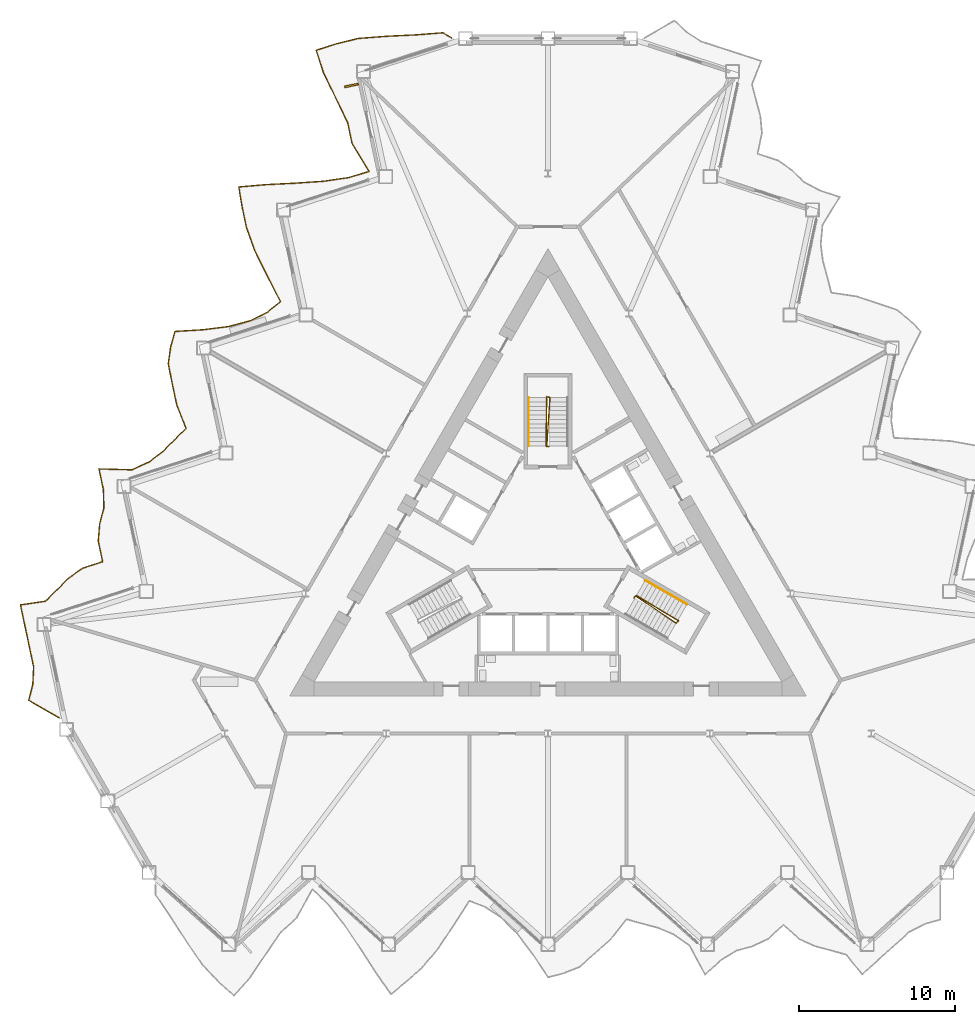
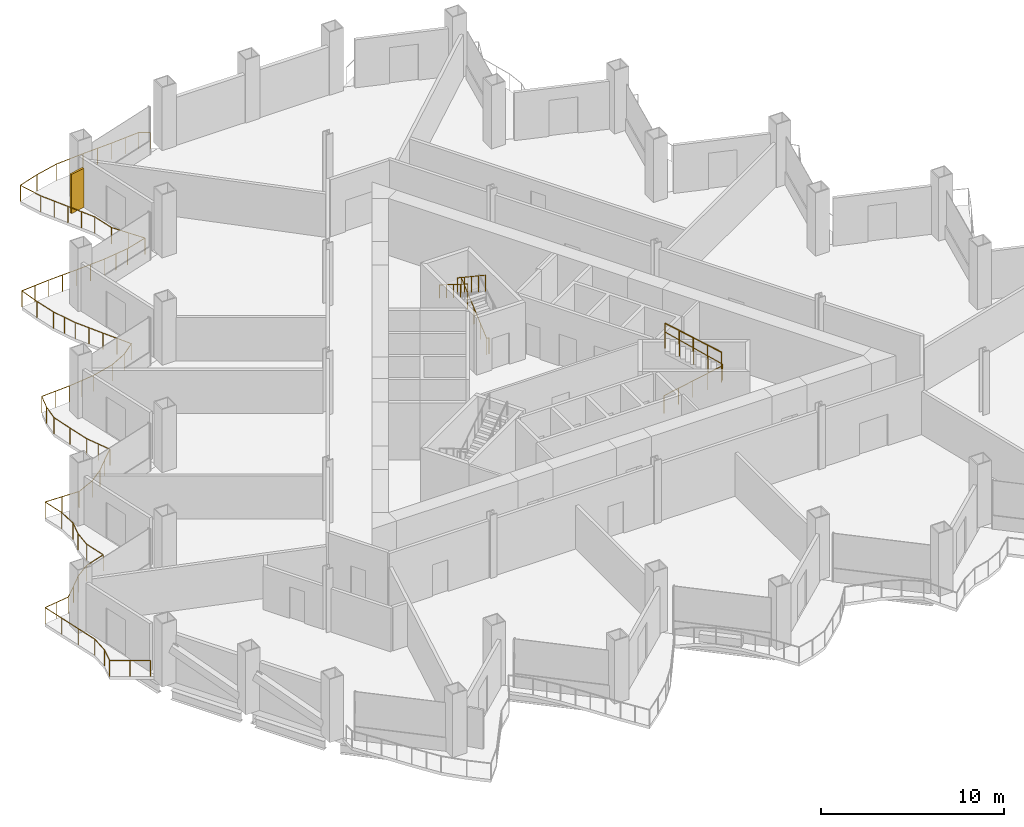
# One storey, part 18 of 21: 5 railings, 1 shading device.
"""IFC4 building model written with IfcOpenShell, lengths in metres."""

from ifc_helpers import new_model, si_unit, direction, frame, origin, origin_2d, place, context, subcontext, project, spatial, rectangle, circle, extrude, material, layer, layer_set, type_object, element, save


model = new_model("IFC4")

# Units and contexts
model_context = context("Model", 3, precision=1e-05, world=origin(), true_north=direction((0.0, 1.0)))
body_context = subcontext(model_context, "Body", "Model", "MODEL_VIEW")
ifc_project = project(units=[si_unit("LENGTHUNIT", "METRE"), si_unit("AREAUNIT", "SQUARE_METRE"), si_unit("VOLUMEUNIT", "CUBIC_METRE"), si_unit("PLANEANGLEUNIT", "RADIAN"), si_unit("MASSUNIT", "GRAM", prefix="KILO")], contexts=[model_context])

# Site, building, storey
site_placement = place(None, origin())
site = spatial("IfcSite", under=ifc_project, at=site_placement, CompositionType="ELEMENT")
building_placement = place(site_placement, origin())
building = spatial("IfcBuilding", under=site, at=building_placement, Name="Cormorant Prow Tower", CompositionType="ELEMENT")
storey_placement = place(building_placement, frame((0.0, 0.0, 116.39990234375)))
storey = spatial("IfcBuildingStorey", under=building, at=storey_placement, Name="L24", CompositionType="ELEMENT", Elevation=116.39990234375)

# Railings
ifc_material_1 = material(Name="Aluminium 6063-T6", Category="aluminium")
railing_type_1 = type_object("IfcRailingType", Name="Balcony guard 1100", PredefinedType="GUARDRAIL", material=ifc_material_1)
railing_1_placement = place(storey_placement, frame((-6.165771484375, 32.531494140625, 0.0)))
element("IfcRailing", 1, at=railing_1_placement, inside=storey, type_object=railing_type_1, Name="Balcony guard WNW", PredefinedType="GUARDRAIL", context=body_context, shape_type="SweptSolid", body=[
    extrude(circle(Radius=0.02392578125, at=origin_2d()), frame((0.0, 0.0, 1.076171875), z_axis=(-0.866038622153, 0.499977104415, 0.0), x_axis=(-0.499977104415, -0.866038622153, 0.0)), (0.0, 0.0, 1.0), 0.63623046875),
    extrude(circle(Radius=0.02392578125, at=origin_2d()), frame((-0.551025390625, 0.318115234375, 1.076171875), z_axis=(-0.997197009902, -0.074820608411, 0.0), x_axis=(0.074820608411, -0.997197009902, 0.0)), (0.0, 0.0, 1.0), 1.781494140625),
    extrude(circle(Radius=0.02392578125, at=origin_2d()), frame((-2.32763671875, 0.184814453125, 1.076171875), z_axis=(-0.998831498612, -0.048328432431, 0.0), x_axis=(0.048328432431, -0.998831498612, 0.0)), (0.0, 0.0, 1.0), 1.85400390625),
    extrude(circle(Radius=0.02392578125, at=origin_2d()), frame((-4.179443359375, 0.09521484375, 1.076171875), z_axis=(-0.99704396545, -0.076833137122, 0.0), x_axis=(0.076833137122, -0.99704396545, 0.0)), (0.0, 0.0, 1.0), 1.7763671875),
    extrude(circle(Radius=0.02392578125, at=origin_2d()), frame((-5.950439453125, -0.041259765625, 1.076171875), z_axis=(-0.971769655853, -0.235931634089, 0.0), x_axis=(0.235931634089, -0.971769655853, 0.0)), (0.0, 0.0, 1.0), 1.453857421875),
    extrude(circle(Radius=0.02392578125, at=origin_2d()), frame((-7.36328125, -0.38427734375, 1.076171875), z_axis=(-0.951024769283, -0.309114684561, 0.0), x_axis=(0.309114684561, -0.951024769283, 0.0)), (0.0, 0.0, 1.0), 1.3505859375),
    extrude(circle(Radius=0.02392578125, at=origin_2d()), frame((-8.647705078125, -0.8017578125, 1.076171875), z_axis=(0.3055170422, -0.952186608247, 0.0), x_axis=(0.952186608247, 0.3055170422, 0.0)), (0.0, 0.0, 1.0), 1.493408203125),
    extrude(circle(Radius=0.02392578125, at=origin_2d()), frame((-8.19140625, -2.223876953125, 1.076171875), z_axis=(0.437543121235, -0.899197429412, 0.0), x_axis=(0.899197429412, 0.437543121235, 0.0)), (0.0, 0.0, 1.0), 1.792236328125),
    extrude(circle(Radius=0.02392578125, at=origin_2d()), frame((-7.4072265625, -3.83544921875, 1.076171875), z_axis=(0.433168019328, -0.901313190312, 0.0), x_axis=(0.901313190312, 0.433168019328, 0.0)), (0.0, 0.0, 1.0), 1.77978515625),
    extrude(circle(Radius=0.02392578125, at=origin_2d()), frame((-6.63623046875, -5.439697265625, 1.076171875), z_axis=(0.208096604051, -0.978108277944, 0.0), x_axis=(0.978108277944, 0.208096604051, 0.0)), (0.0, 0.0, 1.0), 1.350341796875),
    extrude(circle(Radius=0.02392578125, at=origin_2d()), frame((-6.355224609375, -6.760498046875, 1.076171875), z_axis=(0.518892663885, -0.85483940209, 0.0), x_axis=(0.85483940209, 0.518892663885, 0.0)), (0.0, 0.0, 1.0), 2.087158203125),
    extrude(circle(Radius=0.02392578125, at=origin_2d()), frame((-5.272216796875, -8.544677734375, 1.076171875), z_axis=(-0.958431950317, -0.285321216546, 0.0), x_axis=(0.285321216546, -0.958431950317, 0.0)), (0.0, 0.0, 1.0), 1.3818359375),
    extrude(circle(Radius=0.02392578125, at=origin_2d()), frame((-6.5966796875, -8.93896484375, 1.076171875), z_axis=(-0.989725517262, -0.142980419921, 0.0), x_axis=(0.142980419921, -0.989725517262, 0.0)), (0.0, 0.0, 1.0), 1.6220703125),
    extrude(circle(Radius=0.02392578125, at=origin_2d()), frame((-8.2021484375, -9.1708984375, 1.076171875), z_axis=(-0.997739361196, -0.067202433888, 0.0), x_axis=(0.067202433888, -0.997739361196, 0.0)), (0.0, 0.0, 1.0), 1.802001953125),
    extrude(circle(Radius=0.02392578125, at=origin_2d()), frame((-10.0, -9.2919921875, 1.076171875), z_axis=(-0.998796334146, -0.049049800172, 0.0), x_axis=(0.049049800172, -0.998796334146, 0.0)), (0.0, 0.0, 1.0), 1.8515625),
    extrude(circle(Radius=0.02392578125, at=origin_2d()), frame((-11.849365234375, -9.3828125, 1.076171875), z_axis=(-0.996274491947, -0.0862388352, 0.0), x_axis=(0.0862388352, -0.996274491947, 0.0)), (0.0, 0.0, 1.0), 1.75244140625),
    extrude(circle(Radius=0.02392578125, at=origin_2d()), frame((-13.59521484375, -9.533935546875, 1.076171875), z_axis=(0.162018353955, -0.986787744645, 0.0), x_axis=(0.986787744645, 0.162018353955, 0.0)), (0.0, 0.0, 1.0), 1.29736328125),
    extrude(circle(Radius=0.02392578125, at=origin_2d()), frame((-13.385009765625, -10.814208984375, 1.076171875), z_axis=(0.207923627178, -0.978145063506, 0.0), x_axis=(0.978145063506, 0.207923627178, 0.0)), (0.0, 0.0, 1.0), 1.350341796875),
    extrude(circle(Radius=0.02392578125, at=origin_2d()), frame((-13.104248046875, -12.135009765625, 1.076171875), z_axis=(0.337063995154, -0.941481738097, 0.0), x_axis=(0.941481738097, 0.337063995154, 0.0)), (0.0, 0.0, 1.0), 1.551513671875),
    extrude(circle(Radius=0.02392578125, at=origin_2d()), frame((-12.581298828125, -13.595703125, 1.076171875), z_axis=(0.44375940405, -0.896145965408, 0.0), x_axis=(0.896145965408, 0.44375940405, 0.0)), (0.0, 0.0, 1.0), 1.81103515625),
    extrude(circle(Radius=0.02392578125, at=origin_2d()), frame((-11.777587890625, -15.21875, 1.076171875), z_axis=(0.456011061651, -0.889974107293, 0.0), x_axis=(0.889974107293, 0.456011061651, 0.0)), (0.0, 0.0, 1.0), 1.84912109375),
    extrude(circle(Radius=0.02392578125, at=origin_2d()), frame((-10.934326171875, -16.864501953125, 1.076171875), z_axis=(-0.778026512451, -0.628231442959, 0.0), x_axis=(0.628231442959, -0.778026512451, 0.0)), (0.0, 0.0, 1.0), 1.07568359375),
    extrude(circle(Radius=0.02392578125, at=origin_2d()), frame((-11.771240234375, -17.540283203125, 1.076171875), z_axis=(-0.894061222795, -0.447944784427, 0.0), x_axis=(0.447944784427, -0.894061222795, 0.0)), (0.0, 0.0, 1.0), 1.20166015625),
    extrude(circle(Radius=0.02392578125, at=origin_2d()), frame((-12.845703125, -18.07861328125, 1.076171875), z_axis=(-0.965785035107, -0.259343914452, 0.0), x_axis=(0.259343914452, -0.965785035107, 0.0)), (0.0, 0.0, 1.0), 1.418701171875),
    extrude(circle(Radius=0.02392578125, at=origin_2d()), frame((-14.2158203125, -18.446533203125, 1.076171875), z_axis=(-0.991847762911, -0.127428470952, 0.0), x_axis=(0.127428470952, -0.991847762911, 0.0)), (0.0, 0.0, 1.0), 1.6552734375),
    extrude(circle(Radius=0.02392578125, at=origin_2d()), frame((-15.857666015625, -18.657470703125, 1.076171875), z_axis=(-0.998158167324, -0.060665253682, 0.0), x_axis=(0.060665253682, -0.998158167324, 0.0)), (0.0, 0.0, 1.0), 1.819091796875),
    extrude(circle(Radius=0.02392578125, at=origin_2d()), frame((-17.67333984375, -18.767822265625, 1.076171875), z_axis=(-0.268554992367, -0.963264354201, 0.0), x_axis=(0.963264354201, -0.268554992367, 0.0)), (0.0, 0.0, 1.0), 1.036376953125),
    extrude(circle(Radius=0.02392578125, at=origin_2d()), frame((-17.95166015625, -19.76611328125, 1.076171875), z_axis=(-0.141073741819, -0.98999909059, 0.0), x_axis=(0.98999909059, -0.141073741819, 0.0)), (0.0, 0.0, 1.0), 1.08154296875),
    extrude(circle(Radius=0.02392578125, at=origin_2d()), frame((-18.104248046875, -20.8369140625, 1.076171875), z_axis=(0.196677999947, -0.980468135299, 0.0), x_axis=(0.980468135299, 0.196677999947, 0.0)), (0.0, 0.0, 1.0), 1.3369140625),
    extrude(circle(Radius=0.02392578125, at=origin_2d()), frame((-17.84130859375, -22.147705078125, 1.076171875), z_axis=(0.207923627178, -0.978145063506, 0.0), x_axis=(0.978145063506, 0.207923627178, 0.0)), (0.0, 0.0, 1.0), 1.350341796875),
    extrude(circle(Radius=0.02392578125, at=origin_2d()), frame((-17.560546875, -23.468505859375, 1.076171875), z_axis=(0.367686255575, -0.929949900511, 0.0), x_axis=(0.929949900511, 0.367686255575, 0.0)), (0.0, 0.0, 1.0), 1.61474609375),
    extrude(circle(Radius=0.02392578125, at=origin_2d()), frame((-16.966796875, -24.97021484375, 1.076171875), z_axis=(-0.715141961491, -0.698979237828, 0.0), x_axis=(0.698979237828, -0.715141961491, 0.0)), (0.0, 0.0, 1.0), 1.042236328125),
    extrude(circle(Radius=0.02392578125, at=origin_2d()), frame((-17.712158203125, -25.69873046875, 1.076171875), z_axis=(-0.703331850344, -0.710861666072, 0.0), x_axis=(0.710861666072, -0.703331850344, 0.0)), (0.0, 0.0, 1.0), 1.03759765625),
    extrude(circle(Radius=0.02392578125, at=origin_2d()), frame((-18.44189453125, -26.436279296875, 1.076171875), z_axis=(-0.796080060721, -0.605191322577, 0.0), x_axis=(0.605191322577, -0.796080060721, 0.0)), (0.0, 0.0, 1.0), 1.08837890625),
    extrude(circle(Radius=0.02392578125, at=origin_2d()), frame((-19.308349609375, -27.094970703125, 1.076171875), z_axis=(-0.908707369925, -0.417433726289, 0.0), x_axis=(0.417433726289, -0.908707369925, 0.0)), (0.0, 0.0, 1.0), 1.22998046875),
    extrude(circle(Radius=0.02392578125, at=origin_2d()), frame((-20.426025390625, -27.6083984375, 1.076171875), z_axis=(-0.999629367676, 0.027223652961, 0.0), x_axis=(-0.027223652961, -0.999629367676, 0.0)), (0.0, 0.0, 1.0), 2.107421875),
    extrude(circle(Radius=0.02392578125, at=origin_2d()), frame((-22.53271484375, -27.551025390625, 1.076171875), z_axis=(0.208059810937, -0.978116105109, 0.0), x_axis=(0.978116105109, 0.208059810937, 0.0)), (0.0, 0.0, 1.0), 1.3505859375),
    extrude(circle(Radius=0.02392578125, at=origin_2d()), frame((-22.251708984375, -28.8720703125, 1.076171875), z_axis=(0.029192193085, -0.999573817116, 0.0), x_axis=(0.999573817116, 0.029192193085, 0.0)), (0.0, 0.0, 1.0), 1.17919921875),
    extrude(circle(Radius=0.02392578125, at=origin_2d()), frame((-22.21728515625, -30.05078125, 1.076171875), z_axis=(-0.258422924917, -0.966031879328, 0.0), x_axis=(0.966031879328, -0.258422924917, 0.0)), (0.0, 0.0, 1.0), 1.039306640625),
    extrude(circle(Radius=0.02392578125, at=origin_2d()), frame((-22.48583984375, -31.0546875, 1.076171875), z_axis=(-0.083646627438, -0.996495480029, 0.0), x_axis=(0.996495480029, -0.083646627438, 0.0)), (0.0, 0.0, 1.0), 1.109130859375),
    extrude(circle(Radius=0.02392578125, at=origin_2d()), frame((-22.57861328125, -32.159912109375, 1.076171875), z_axis=(0.207886861883, -0.978152877957, 0.0), x_axis=(0.978152877957, 0.207886861883, 0.0)), (0.0, 0.0, 1.0), 1.3505859375),
    extrude(circle(Radius=0.02392578125, at=origin_2d()), frame((-22.2978515625, -33.48095703125, 1.076171875), z_axis=(-0.951077899841, -0.308951174839, 0.0), x_axis=(0.308951174839, -0.951077899841, 0.0)), (0.0, 0.0, 1.0), 1.3505859375),
    extrude(circle(Radius=0.02392578125, at=origin_2d()), frame((-23.582275390625, -33.898193359375, 1.076171875), z_axis=(-0.813119408245, -0.582096923146, 0.0), x_axis=(0.582096923146, -0.813119408245, 0.0)), (0.0, 0.0, 1.0), 1.102294921875),
    extrude(circle(Radius=0.02392578125, at=origin_2d()), frame((-24.478515625, -34.539794921875, 1.076171875), z_axis=(-0.705812471331, -0.708398726223, 0.0), x_axis=(0.708398726223, -0.705812471331, 0.0)), (0.0, 0.0, 1.0), 1.038330078125),
    extrude(circle(Radius=0.02392578125, at=origin_2d()), frame((-25.21142578125, -35.275390625, 1.076171875), z_axis=(-0.71201463204, -0.702164627249, 0.0), x_axis=(0.702164627249, -0.71201463204, 0.0)), (0.0, 0.0, 1.0), 1.041015625),
    extrude(circle(Radius=0.02392578125, at=origin_2d()), frame((-25.95263671875, -36.00634765625, 1.076171875), z_axis=(-0.989239139554, -0.146307637447, 0.0), x_axis=(0.146307637447, -0.989239139554, 0.0)), (0.0, 0.0, 1.0), 1.615234375),
    extrude(circle(Radius=0.02392578125, at=origin_2d()), frame((-27.550537109375, -36.24267578125, 1.076171875), z_axis=(0.207923627178, -0.978145063506, 0.0), x_axis=(0.978145063506, 0.207923627178, 0.0)), (0.0, 0.0, 1.0), 1.350341796875),
    extrude(circle(Radius=0.02392578125, at=origin_2d()), frame((-27.269775390625, -37.5634765625, 1.076171875), z_axis=(0.207886861883, -0.978152877957, 0.0), x_axis=(0.978152877957, 0.207886861883, 0.0)), (0.0, 0.0, 1.0), 1.3505859375),
    extrude(circle(Radius=0.02392578125, at=origin_2d()), frame((-26.989013671875, -38.884521484375, 1.076171875), z_axis=(0.207886861883, -0.978152877957, 0.0), x_axis=(0.978152877957, 0.207886861883, 0.0)), (0.0, 0.0, 1.0), 1.3505859375),
    extrude(circle(Radius=0.02392578125, at=origin_2d()), frame((-26.708251953125, -40.20556640625, 1.076171875), z_axis=(-0.046897714025, -0.998899696876, 0.0), x_axis=(0.998899696876, -0.046897714025, 0.0)), (0.0, 0.0, 1.0), 1.129638671875),
    extrude(circle(Radius=0.02392578125, at=origin_2d()), frame((-26.76123046875, -41.333984375, 1.076171875), z_axis=(-0.244848201654, -0.96956142567, 0.0), x_axis=(0.96956142567, -0.244848201654, 0.0)), (0.0, 0.0, 1.0), 1.04296875),
    extrude(circle(Radius=0.02392578125, at=origin_2d()), frame((-27.0166015625, -42.34521484375, 1.076171875), z_axis=(0.866019272134, -0.50001062018, 0.0), x_axis=(0.50001062018, 0.866019272134, 0.0)), (0.0, 0.0, 1.0), 2.224609375),
    extrude(circle(Radius=0.02099609375, at=origin_2d()), origin(), (0.0, 0.0, 1.0), 1.052001953125),
    extrude(circle(Radius=0.02099609375, at=origin_2d()), frame((-0.551025390625, 0.318115234375, 0.0)), (0.0, 0.0, 1.0), 1.052001953125),
    extrude(circle(Radius=0.02099609375, at=origin_2d()), frame((-1.439453125, 0.25146484375, 0.0)), (0.0, 0.0, 1.0), 1.052001953125),
    extrude(circle(Radius=0.02099609375, at=origin_2d()), frame((-2.32763671875, 0.184814453125, 0.0)), (0.0, 0.0, 1.0), 1.052001953125),
    extrude(circle(Radius=0.02099609375, at=origin_2d()), frame((-3.25341796875, 0.14013671875, 0.0)), (0.0, 0.0, 1.0), 1.052001953125),
    extrude(circle(Radius=0.02099609375, at=origin_2d()), frame((-4.179443359375, 0.09521484375, 0.0)), (0.0, 0.0, 1.0), 1.052001953125),
    extrude(circle(Radius=0.02099609375, at=origin_2d()), frame((-5.06494140625, 0.02685546875, 0.0)), (0.0, 0.0, 1.0), 1.052001953125),
    extrude(circle(Radius=0.02099609375, at=origin_2d()), frame((-5.950439453125, -0.041259765625, 0.0)), (0.0, 0.0, 1.0), 1.052001953125),
    extrude(circle(Radius=0.02099609375, at=origin_2d()), frame((-7.36328125, -0.38427734375, 0.0)), (0.0, 0.0, 1.0), 1.052001953125),
    extrude(circle(Radius=0.02099609375, at=origin_2d()), frame((-8.647705078125, -0.8017578125, 0.0)), (0.0, 0.0, 1.0), 1.052001953125),
    extrude(circle(Radius=0.02099609375, at=origin_2d()), frame((-8.19140625, -2.223876953125, 0.0)), (0.0, 0.0, 1.0), 1.052001953125),
    extrude(circle(Radius=0.02099609375, at=origin_2d()), frame((-7.79931640625, -3.02978515625, 0.0)), (0.0, 0.0, 1.0), 1.052001953125),
    extrude(circle(Radius=0.02099609375, at=origin_2d()), frame((-7.4072265625, -3.83544921875, 0.0)), (0.0, 0.0, 1.0), 1.052001953125),
    extrude(circle(Radius=0.02099609375, at=origin_2d()), frame((-7.021728515625, -4.6376953125, 0.0)), (0.0, 0.0, 1.0), 1.052001953125),
    extrude(circle(Radius=0.02099609375, at=origin_2d()), frame((-6.63623046875, -5.439697265625, 0.0)), (0.0, 0.0, 1.0), 1.052001953125),
    extrude(circle(Radius=0.02099609375, at=origin_2d()), frame((-6.355224609375, -6.760498046875, 0.0)), (0.0, 0.0, 1.0), 1.052001953125),
    extrude(circle(Radius=0.02099609375, at=origin_2d()), frame((-5.813720703125, -7.652587890625, 0.0)), (0.0, 0.0, 1.0), 1.052001953125),
    extrude(circle(Radius=0.02099609375, at=origin_2d()), frame((-5.272216796875, -8.544677734375, 0.0)), (0.0, 0.0, 1.0), 1.052001953125),
    extrude(circle(Radius=0.02099609375, at=origin_2d()), frame((-6.5966796875, -8.93896484375, 0.0)), (0.0, 0.0, 1.0), 1.052001953125),
    extrude(circle(Radius=0.02099609375, at=origin_2d()), frame((-7.3994140625, -9.054931640625, 0.0)), (0.0, 0.0, 1.0), 1.052001953125),
    extrude(circle(Radius=0.02099609375, at=origin_2d()), frame((-8.2021484375, -9.1708984375, 0.0)), (0.0, 0.0, 1.0), 1.052001953125),
    extrude(circle(Radius=0.02099609375, at=origin_2d()), frame((-9.10107421875, -9.2314453125, 0.0)), (0.0, 0.0, 1.0), 1.052001953125),
    extrude(circle(Radius=0.02099609375, at=origin_2d()), frame((-10.0, -9.2919921875, 0.0)), (0.0, 0.0, 1.0), 1.052001953125),
    extrude(circle(Radius=0.02099609375, at=origin_2d()), frame((-10.9248046875, -9.33740234375, 0.0)), (0.0, 0.0, 1.0), 1.052001953125),
    extrude(circle(Radius=0.02099609375, at=origin_2d()), frame((-11.849365234375, -9.3828125, 0.0)), (0.0, 0.0, 1.0), 1.052001953125),
    extrude(circle(Radius=0.02099609375, at=origin_2d()), frame((-12.72216796875, -9.45849609375, 0.0)), (0.0, 0.0, 1.0), 1.052001953125),
    extrude(circle(Radius=0.02099609375, at=origin_2d()), frame((-13.59521484375, -9.533935546875, 0.0)), (0.0, 0.0, 1.0), 1.052001953125),
    extrude(circle(Radius=0.02099609375, at=origin_2d()), frame((-13.385009765625, -10.814208984375, 0.0)), (0.0, 0.0, 1.0), 1.052001953125),
    extrude(circle(Radius=0.02099609375, at=origin_2d()), frame((-13.104248046875, -12.135009765625, 0.0)), (0.0, 0.0, 1.0), 1.052001953125),
    extrude(circle(Radius=0.02099609375, at=origin_2d()), frame((-12.8427734375, -12.865234375, 0.0)), (0.0, 0.0, 1.0), 1.052001953125),
    extrude(circle(Radius=0.02099609375, at=origin_2d()), frame((-12.581298828125, -13.595703125, 0.0)), (0.0, 0.0, 1.0), 1.052001953125),
    extrude(circle(Radius=0.02099609375, at=origin_2d()), frame((-12.179443359375, -14.4072265625, 0.0)), (0.0, 0.0, 1.0), 1.052001953125),
    extrude(circle(Radius=0.02099609375, at=origin_2d()), frame((-11.777587890625, -15.21875, 0.0)), (0.0, 0.0, 1.0), 1.052001953125),
    extrude(circle(Radius=0.02099609375, at=origin_2d()), frame((-11.35595703125, -16.04150390625, 0.0)), (0.0, 0.0, 1.0), 1.052001953125),
    extrude(circle(Radius=0.02099609375, at=origin_2d()), frame((-10.934326171875, -16.864501953125, 0.0)), (0.0, 0.0, 1.0), 1.052001953125),
    extrude(circle(Radius=0.02099609375, at=origin_2d()), frame((-11.771240234375, -17.540283203125, 0.0)), (0.0, 0.0, 1.0), 1.052001953125),
    extrude(circle(Radius=0.02099609375, at=origin_2d()), frame((-12.845703125, -18.07861328125, 0.0)), (0.0, 0.0, 1.0), 1.052001953125),
    extrude(circle(Radius=0.02099609375, at=origin_2d()), frame((-14.2158203125, -18.446533203125, 0.0)), (0.0, 0.0, 1.0), 1.052001953125),
    extrude(circle(Radius=0.02099609375, at=origin_2d()), frame((-15.03662109375, -18.552001953125, 0.0)), (0.0, 0.0, 1.0), 1.052001953125),
    extrude(circle(Radius=0.02099609375, at=origin_2d()), frame((-15.857666015625, -18.657470703125, 0.0)), (0.0, 0.0, 1.0), 1.052001953125),
    extrude(circle(Radius=0.02099609375, at=origin_2d()), frame((-16.765625, -18.712646484375, 0.0)), (0.0, 0.0, 1.0), 1.052001953125),
    extrude(circle(Radius=0.02099609375, at=origin_2d()), frame((-17.67333984375, -18.767822265625, 0.0)), (0.0, 0.0, 1.0), 1.052001953125),
    extrude(circle(Radius=0.02099609375, at=origin_2d()), frame((-17.95166015625, -19.76611328125, 0.0)), (0.0, 0.0, 1.0), 1.052001953125),
    extrude(circle(Radius=0.02099609375, at=origin_2d()), frame((-18.104248046875, -20.8369140625, 0.0)), (0.0, 0.0, 1.0), 1.052001953125),
    extrude(circle(Radius=0.02099609375, at=origin_2d()), frame((-17.84130859375, -22.147705078125, 0.0)), (0.0, 0.0, 1.0), 1.052001953125),
    extrude(circle(Radius=0.02099609375, at=origin_2d()), frame((-17.560546875, -23.468505859375, 0.0)), (0.0, 0.0, 1.0), 1.052001953125),
    extrude(circle(Radius=0.02099609375, at=origin_2d()), frame((-17.263671875, -24.21923828125, 0.0)), (0.0, 0.0, 1.0), 1.052001953125),
    extrude(circle(Radius=0.02099609375, at=origin_2d()), frame((-16.966796875, -24.97021484375, 0.0)), (0.0, 0.0, 1.0), 1.052001953125),
    extrude(circle(Radius=0.02099609375, at=origin_2d()), frame((-17.712158203125, -25.69873046875, 0.0)), (0.0, 0.0, 1.0), 1.052001953125),
    extrude(circle(Radius=0.02099609375, at=origin_2d()), frame((-18.44189453125, -26.436279296875, 0.0)), (0.0, 0.0, 1.0), 1.052001953125),
    extrude(circle(Radius=0.02099609375, at=origin_2d()), frame((-19.308349609375, -27.094970703125, 0.0)), (0.0, 0.0, 1.0), 1.052001953125),
    extrude(circle(Radius=0.02099609375, at=origin_2d()), frame((-20.426025390625, -27.6083984375, 0.0)), (0.0, 0.0, 1.0), 1.052001953125),
    extrude(circle(Radius=0.02099609375, at=origin_2d()), frame((-21.4794921875, -27.57958984375, 0.0)), (0.0, 0.0, 1.0), 1.052001953125),
    extrude(circle(Radius=0.02099609375, at=origin_2d()), frame((-22.53271484375, -27.551025390625, 0.0)), (0.0, 0.0, 1.0), 1.052001953125),
    extrude(circle(Radius=0.02099609375, at=origin_2d()), frame((-22.251708984375, -28.8720703125, 0.0)), (0.0, 0.0, 1.0), 1.052001953125),
    extrude(circle(Radius=0.02099609375, at=origin_2d()), frame((-22.21728515625, -30.05078125, 0.0)), (0.0, 0.0, 1.0), 1.052001953125),
    extrude(circle(Radius=0.02099609375, at=origin_2d()), frame((-22.48583984375, -31.0546875, 0.0)), (0.0, 0.0, 1.0), 1.052001953125),
    extrude(circle(Radius=0.02099609375, at=origin_2d()), frame((-22.57861328125, -32.159912109375, 0.0)), (0.0, 0.0, 1.0), 1.052001953125),
    extrude(circle(Radius=0.02099609375, at=origin_2d()), frame((-22.2978515625, -33.48095703125, 0.0)), (0.0, 0.0, 1.0), 1.052001953125),
    extrude(circle(Radius=0.02099609375, at=origin_2d()), frame((-23.582275390625, -33.898193359375, 0.0)), (0.0, 0.0, 1.0), 1.052001953125),
    extrude(circle(Radius=0.02099609375, at=origin_2d()), frame((-24.478515625, -34.539794921875, 0.0)), (0.0, 0.0, 1.0), 1.052001953125),
    extrude(circle(Radius=0.02099609375, at=origin_2d()), frame((-25.21142578125, -35.275390625, 0.0)), (0.0, 0.0, 1.0), 1.052001953125),
    extrude(circle(Radius=0.02099609375, at=origin_2d()), frame((-25.95263671875, -36.00634765625, 0.0)), (0.0, 0.0, 1.0), 1.052001953125),
    extrude(circle(Radius=0.02099609375, at=origin_2d()), frame((-26.75146484375, -36.12451171875, 0.0)), (0.0, 0.0, 1.0), 1.052001953125),
    extrude(circle(Radius=0.02099609375, at=origin_2d()), frame((-27.550537109375, -36.24267578125, 0.0)), (0.0, 0.0, 1.0), 1.052001953125),
    extrude(circle(Radius=0.02099609375, at=origin_2d()), frame((-27.269775390625, -37.5634765625, 0.0)), (0.0, 0.0, 1.0), 1.052001953125),
    extrude(circle(Radius=0.02099609375, at=origin_2d()), frame((-26.989013671875, -38.884521484375, 0.0)), (0.0, 0.0, 1.0), 1.052001953125),
    extrude(circle(Radius=0.02099609375, at=origin_2d()), frame((-26.708251953125, -40.20556640625, 0.0)), (0.0, 0.0, 1.0), 1.052001953125),
    extrude(circle(Radius=0.02099609375, at=origin_2d()), frame((-26.76123046875, -41.333984375, 0.0)), (0.0, 0.0, 1.0), 1.052001953125),
    extrude(circle(Radius=0.02099609375, at=origin_2d()), frame((-27.0166015625, -42.34521484375, 0.0)), (0.0, 0.0, 1.0), 1.052001953125),
    extrude(circle(Radius=0.02099609375, at=origin_2d()), frame((-26.05322265625, -42.9013671875, 0.0)), (0.0, 0.0, 1.0), 1.052001953125),
    extrude(circle(Radius=0.02099609375, at=origin_2d()), frame((-25.090087890625, -43.45751953125, 0.0)), (0.0, 0.0, 1.0), 1.052001953125),
])
ifc_material_2 = material(Name="Stainless steel", Category="steel")
railing_type_2 = type_object("IfcRailingType", Name="Stair guard 1100", PredefinedType="GUARDRAIL", material=ifc_material_2)
railing_2_placement = place(storey_placement, frame((5.510009765625, -3.267822265625, 0.0)))
element("IfcRailing", 2, at=railing_2_placement, inside=storey, type_object=railing_type_2, Name="L24 ST2 stair guard 1", PredefinedType="GUARDRAIL", context=body_context, shape_type="SweptSolid", body=[
    extrude(circle(Radius=0.02392578125, at=origin_2d()), frame((0.0, 0.0, 1.076171875), z_axis=(0.501036270542, 0.865426285481, 0.0), x_axis=(-0.865426285481, 0.501036270542, 0.0)), (0.0, 0.0, 1.0), 0.150146484375),
    extrude(circle(Radius=0.02392578125, at=origin_2d()), frame((0.0751953125, 0.1298828125, 1.076171875), z_axis=(0.691630634645, -0.46052652377, 0.556383308633), x_axis=(0.554233058506, 0.832361530141, 0.0)), (0.0, 0.0, 1.0), 3.774658203125),
    extrude(circle(Radius=0.02392578125, at=origin_2d()), frame((2.685791015625, -1.6083984375, 3.17626953125), z_axis=(0.695164929852, 0.718850276695, 0.0), x_axis=(-0.718850276695, 0.695164929852, 0.0)), (0.0, 0.0, 1.0), 0.2060546875),
    extrude(circle(Radius=0.02392578125, at=origin_2d()), frame((2.8291015625, -1.460205078125, 3.17626953125), z_axis=(-0.712463317363, 0.426661970256, 0.557095669117), x_axis=(-0.513773053629, -0.857926132814, 0.0)), (0.0, 0.0, 1.0), 3.769775390625),
    extrude(circle(Radius=0.02099609375, at=origin_2d()), origin(), (0.0, 0.0, 1.0), 1.052001953125),
    extrude(circle(Radius=0.02099609375, at=origin_2d()), frame((0.0751953125, 0.1298828125, 0.0)), (0.0, 0.0, 1.0), 1.052001953125),
    extrude(circle(Radius=0.02099609375, at=origin_2d()), frame((0.727783203125, -0.3046875, 0.52490234375)), (0.0, 0.0, 1.0), 1.052001953125),
    extrude(circle(Radius=0.02099609375, at=origin_2d()), frame((1.38037109375, -0.7392578125, 1.050048828125)), (0.0, 0.0, 1.0), 1.052001953125),
    extrude(circle(Radius=0.02099609375, at=origin_2d()), frame((2.033203125, -1.173828125, 1.5751953125)), (0.0, 0.0, 1.0), 1.052001953125),
    extrude(circle(Radius=0.02099609375, at=origin_2d()), frame((2.685791015625, -1.6083984375, 2.10009765625)), (0.0, 0.0, 1.0), 1.052001953125),
    extrude(circle(Radius=0.02099609375, at=origin_2d()), frame((2.8291015625, -1.460205078125, 2.10009765625)), (0.0, 0.0, 1.0), 1.052001953125),
    extrude(circle(Radius=0.02099609375, at=origin_2d()), frame((2.15771484375, -1.05810546875, 2.625)), (0.0, 0.0, 1.0), 1.052001953125),
    extrude(circle(Radius=0.02099609375, at=origin_2d()), frame((1.486328125, -0.656005859375, 3.150146484375)), (0.0, 0.0, 1.0), 1.052001953125),
    extrude(circle(Radius=0.02099609375, at=origin_2d()), frame((0.814697265625, -0.25390625, 3.67529296875)), (0.0, 0.0, 1.0), 1.052001953125),
    extrude(circle(Radius=0.02099609375, at=origin_2d()), frame((0.143310546875, 0.148193359375, 4.2001953125)), (0.0, 0.0, 1.0), 1.052001953125),
])
railing_3_placement = place(storey_placement, frame((0.074951171875, 6.40576171875, 0.0)))
element("IfcRailing", 3, at=railing_3_placement, inside=storey, type_object=railing_type_2, Name="L24 ST3 stair guard 1", PredefinedType="GUARDRAIL", context=body_context, shape_type="SweptSolid", body=[
    extrude(circle(Radius=0.02392578125, at=origin_2d()), frame((0.0, 0.0, 1.076171875), z_axis=(-1.0, 0.0, 0.0), x_axis=(0.0, -1.0, 0.0)), (0.0, 0.0, 1.0), 0.14990234375),
    extrude(circle(Radius=0.02392578125, at=origin_2d()), frame((-0.14990234375, 0.0, 1.076171875), z_axis=(0.052971918151, 0.829246596605, 0.556366837532), x_axis=(-0.997965923181, 0.063749636618, 0.0)), (0.0, 0.0, 1.0), 3.774658203125),
    extrude(circle(Radius=0.02392578125, at=origin_2d()), frame((0.050048828125, 3.130126953125, 3.17626953125), z_axis=(-0.970072785993, 0.242814311512, 0.0), x_axis=(-0.242814311512, -0.970072785993, 0.0)), (0.0, 0.0, 1.0), 0.2060546875),
    extrude(circle(Radius=0.02392578125, at=origin_2d()), frame((-0.14990234375, 3.18017578125, 3.17626953125), z_axis=(-0.013276620939, -0.830339302729, 0.557099967403), x_axis=(0.999872194171, -0.015987348866, 0.0)), (0.0, 0.0, 1.0), 3.769775390625),
    extrude(circle(Radius=0.02099609375, at=origin_2d()), origin(), (0.0, 0.0, 1.0), 1.052001953125),
    extrude(circle(Radius=0.02099609375, at=origin_2d()), frame((-0.14990234375, 0.0, 0.0)), (0.0, 0.0, 1.0), 1.052001953125),
    extrude(circle(Radius=0.02099609375, at=origin_2d()), frame((-0.099853515625, 0.782470703125, 0.52490234375)), (0.0, 0.0, 1.0), 1.052001953125),
    extrude(circle(Radius=0.02099609375, at=origin_2d()), frame((-0.0498046875, 1.56494140625, 1.050048828125)), (0.0, 0.0, 1.0), 1.052001953125),
    extrude(circle(Radius=0.02099609375, at=origin_2d()), frame((0.0, 2.34765625, 1.5751953125)), (0.0, 0.0, 1.0), 1.052001953125),
    extrude(circle(Radius=0.02099609375, at=origin_2d()), frame((0.050048828125, 3.130126953125, 2.10009765625)), (0.0, 0.0, 1.0), 1.052001953125),
    extrude(circle(Radius=0.02099609375, at=origin_2d()), frame((-0.14990234375, 3.18017578125, 2.10009765625)), (0.0, 0.0, 1.0), 1.052001953125),
    extrude(circle(Radius=0.02099609375, at=origin_2d()), frame((-0.162353515625, 2.397705078125, 2.625)), (0.0, 0.0, 1.0), 1.052001953125),
    extrude(circle(Radius=0.02099609375, at=origin_2d()), frame((-0.1748046875, 1.615234375, 3.150146484375)), (0.0, 0.0, 1.0), 1.052001953125),
    extrude(circle(Radius=0.02099609375, at=origin_2d()), frame((-0.1875, 0.83251953125, 3.67529296875)), (0.0, 0.0, 1.0), 1.052001953125),
    extrude(circle(Radius=0.02099609375, at=origin_2d()), frame((-0.199951171875, 0.050048828125, 4.2001953125)), (0.0, 0.0, 1.0), 1.052001953125),
])
ifc_material_3 = material(Name="Stainless steel", Category="steel")
railing_type_3 = type_object("IfcRailingType", Name="Stair handrail 900", PredefinedType="HANDRAIL", material=ifc_material_3)
railing_4_placement = place(storey_placement, frame((8.88037109375, -3.690673828125, 2.275146484375)))
element("IfcRailing", 4, at=railing_4_placement, inside=storey, type_object=railing_type_3, Name="L24 ST2 stair handrail 2", PredefinedType="HANDRAIL", context=body_context, shape_type="SweptSolid", body=[
    extrude(circle(Radius=0.02392578125, at=origin_2d()), frame((0.0, 0.0, 0.8759765625), z_axis=(-0.734394994316, 0.423994474112, 0.52999309264), x_axis=(-0.499992328818, -0.866029832698, 0.0)), (0.0, 0.0, 1.0), 3.63232421875),
    extrude(circle(Radius=0.02099609375, at=origin_2d()), origin(), (0.0, 0.0, 1.0), 0.851806640625),
    extrude(circle(Radius=0.02099609375, at=origin_2d()), frame((-0.6669921875, 0.385009765625, 0.481201171875)), (0.0, 0.0, 1.0), 0.851806640625),
    extrude(circle(Radius=0.02099609375, at=origin_2d()), frame((-1.333740234375, 0.77001953125, 0.96240234375)), (0.0, 0.0, 1.0), 0.851806640625),
    extrude(circle(Radius=0.02099609375, at=origin_2d()), frame((-2.00048828125, 1.155029296875, 1.44384765625)), (0.0, 0.0, 1.0), 0.851806640625),
    extrude(circle(Radius=0.02099609375, at=origin_2d()), frame((-2.66748046875, 1.5400390625, 1.925048828125)), (0.0, 0.0, 1.0), 0.851806640625),
])
railing_5_placement = place(storey_placement, frame((-1.243896484375, 9.535888671875, 2.275146484375)))
element("IfcRailing", 5, at=railing_5_placement, inside=storey, type_object=railing_type_3, Name="L24 ST3 stair handrail 2", PredefinedType="HANDRAIL", context=body_context, shape_type="SweptSolid", body=[
    extrude(circle(Radius=0.02392578125, at=origin_2d()), frame((0.0, 0.0, 0.8759765625), z_axis=(0.0, -0.847998304005, 0.529998940003), x_axis=(1.0, 0.0, 0.0)), (0.0, 0.0, 1.0), 3.632080078125),
    extrude(circle(Radius=0.02099609375, at=origin_2d()), origin(), (0.0, 0.0, 1.0), 0.851806640625),
    extrude(circle(Radius=0.02099609375, at=origin_2d()), frame((0.0, -0.77001953125, 0.481201171875)), (0.0, 0.0, 1.0), 0.851806640625),
    extrude(circle(Radius=0.02099609375, at=origin_2d()), frame((0.0, -1.5400390625, 0.96240234375)), (0.0, 0.0, 1.0), 0.851806640625),
    extrude(circle(Radius=0.02099609375, at=origin_2d()), frame((0.0, -2.31005859375, 1.44384765625)), (0.0, 0.0, 1.0), 0.851806640625),
    extrude(circle(Radius=0.02099609375, at=origin_2d()), frame((0.0, -3.080078125, 1.925048828125)), (0.0, 0.0, 1.0), 0.851806640625),
])

# Shading device
ifc_material_4 = material(Name="Terracotta", Category="masonry")
ifc_layer = layer(ifc_material_4, 0.1201171875)
ifc_layer_set = layer_set([ifc_layer], Name="Terracotta")
shading_device_type = type_object("IfcShadingDeviceType", Name="Terracotta baguette fin 120x900x2600", PredefinedType="USERDEFINED", material=ifc_layer_set)
shading_device_placement = place(storey_placement, frame((-12.55419921875, 29.48046875, 0.0), z_axis=(0.0, 0.0, 1.0), x_axis=(0.207911647216, -0.978147610002, 0.0)))
element("IfcShadingDevice", 6, at=shading_device_placement, inside=storey, type_object=shading_device_type, Name="Baguette fin WNW01", ObjectType="BAGUETTE", PredefinedType="USERDEFINED", context=body_context, shape_type="SweptSolid", body=[
    extrude(rectangle(XDim=0.1201171875, YDim=0.89990234375, at=origin_2d()), origin(), (0.0, 0.0, 1.0), 2.60009765625),
])

save(model, "model.ifc")
